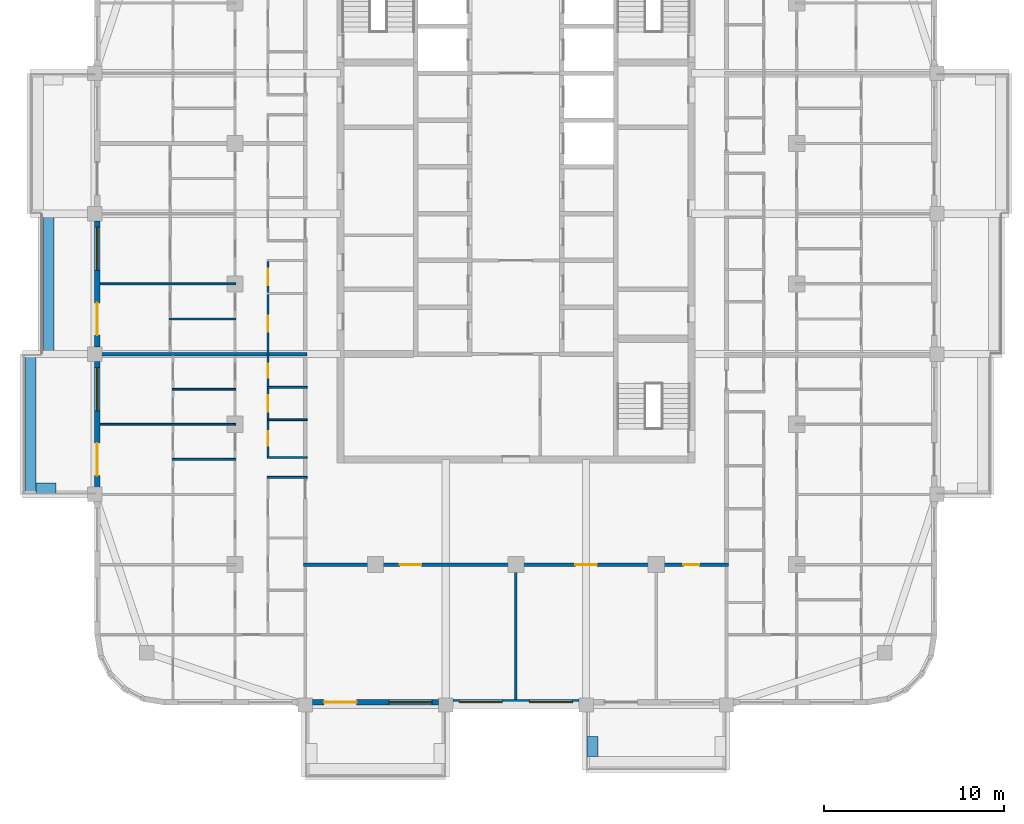
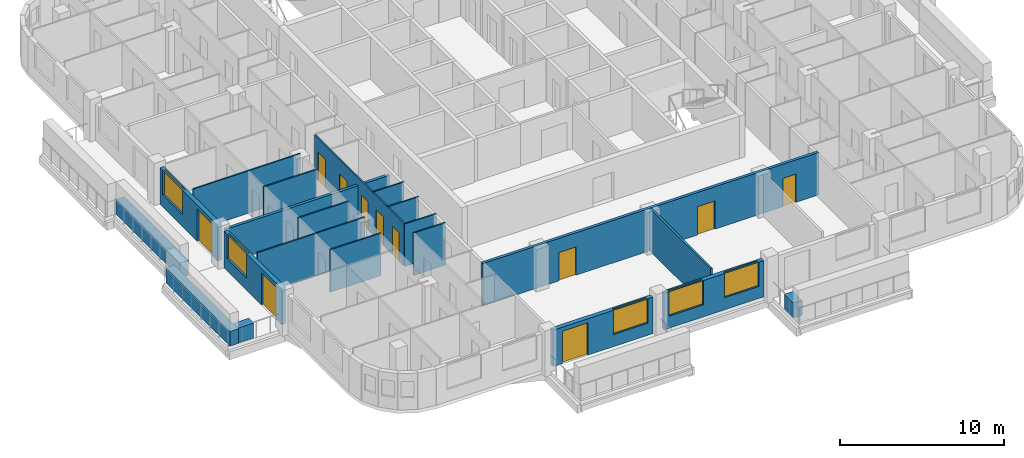
# One storey, part 3 of 16: 21 walls, 11 doors, 5 windows, 16 openings.
"""IFC4 building model written with IfcOpenShell, lengths in metres."""

from ifc_helpers import new_model, si_unit, direction, frame, frame_2d, origin, place, context, subcontext, project, spatial, rectangle, extrude, material, layer, layer_set, type_object, element, fill, save


model = new_model("IFC4")

# Units and contexts
model_context = context("Model", 3, precision=1e-05, world=origin(), true_north=direction((0.0, 1.0)))
body_context = subcontext(model_context, "Body", "Model", "MODEL_VIEW")
ifc_project = project(units=[si_unit("LENGTHUNIT", "METRE"), si_unit("AREAUNIT", "SQUARE_METRE"), si_unit("VOLUMEUNIT", "CUBIC_METRE"), si_unit("PLANEANGLEUNIT", "RADIAN"), si_unit("MASSUNIT", "GRAM", prefix="KILO")], contexts=[model_context])

# Site, building, storey
site_placement = place(None, origin())
site = spatial("IfcSite", under=ifc_project, at=site_placement, CompositionType="ELEMENT")
building_placement = place(site_placement, origin())
building = spatial("IfcBuilding", under=site, at=building_placement, Name="Ludao Terraces", CompositionType="ELEMENT")
storey_placement = place(building_placement, frame((0.0, 0.0, 224.5)))
storey = spatial("IfcBuildingStorey", under=building, at=storey_placement, Name="L61", CompositionType="ELEMENT", Elevation=224.5)

# Walls
ifc_material_1 = material(Name="Concrete C40", Category="concrete")
ifc_layer_1 = layer(ifc_material_1, 0.60009765625)
ifc_layer_set_1 = layer_set([ifc_layer_1], Name="ENV Planter trough 600")
wall_type_1 = type_object("IfcWallType", Name="ENV Planter trough 600", PredefinedType="USERDEFINED", material=ifc_layer_set_1)
wall_1_placement = place(storey_placement, frame((89.25, 38.75, 0.0), z_axis=(0.0, 0.0, 1.0), x_axis=(0.0, 1.0, 0.0)))
element("IfcWall", 1, at=wall_1_placement, inside=storey, type_object=wall_type_1, Name="PL-L61-S3-SA", ObjectType="PLANTER", PredefinedType="USERDEFINED", context=body_context, shape_type="SweptSolid", body=[
    extrude(rectangle(XDim=1.10009765625, YDim=0.60009765625, at=frame_2d((0.550048828125, 0.0))), origin(), (0.0, 0.0, 1.0), 1.10009765625),
])
wall_2_placement = place(storey_placement, frame((58.050048828125, 53.300048828125, 0.0), z_axis=(0.0, 0.0, 1.0), x_axis=(0.0, 1.0, 0.0)))
element("IfcWall", 2, at=wall_2_placement, inside=storey, type_object=wall_type_1, Name="PL-L61-W1", ObjectType="PLANTER", PredefinedType="USERDEFINED", context=body_context, shape_type="SweptSolid", body=[
    extrude(rectangle(XDim=7.800048828125, YDim=0.60009765625, at=frame_2d((3.89990234375, 0.0))), origin(), (0.0, 0.0, 1.0), 1.10009765625),
])
wall_3_placement = place(storey_placement, frame((58.35009765625, 53.64990234375, 0.0), z_axis=(0.0, 0.0, 1.0), x_axis=(1.0, 0.0, 0.0)))
element("IfcWall", 3, at=wall_3_placement, inside=storey, type_object=wall_type_1, Name="PL-L61-W1-SA", ObjectType="PLANTER", PredefinedType="USERDEFINED", context=body_context, shape_type="SweptSolid", body=[
    extrude(rectangle(XDim=1.099853515625, YDim=0.60009765625, at=frame_2d((0.5498046875, 0.0))), origin(), (0.0, 0.0, 1.0), 1.10009765625),
])
wall_4_placement = place(storey_placement, frame((59.050048828125, 61.10009765625, 0.0), z_axis=(0.0, 0.0, 1.0), x_axis=(0.0, 1.0, 0.0)))
element("IfcWall", 4, at=wall_4_placement, inside=storey, type_object=wall_type_1, Name="PL-L61-W2", ObjectType="PLANTER", PredefinedType="USERDEFINED", context=body_context, shape_type="SweptSolid", body=[
    extrude(rectangle(XDim=7.7998046875, YDim=0.60009765625, at=frame_2d((3.89990234375, 0.0))), origin(), (0.0, 0.0, 1.0), 1.10009765625),
])

# Wall, openings, door, window
ifc_material_2 = material(Name="Granite cladding", Category="masonry")
ifc_layer_2 = layer(ifc_material_2, 0.0400390625, Category="stone")
ifc_material_3 = material(Name="Mineral wool")
ifc_layer_3 = layer(ifc_material_3, 0.06005859375)
ifc_layer_4 = layer(ifc_material_1, 0.199951171875, Category="concrete")
ifc_layer_set_2 = layer_set([ifc_layer_2, ifc_layer_3, ifc_layer_4], Name="ENV Stone-clad wall 300")
wall_type_2 = type_object("IfcWallType", Name="ENV Stone-clad wall 300", PredefinedType="SOLIDWALL", material=ifc_layer_set_2)
wall_5_placement = place(storey_placement, frame((73.699951171875, 41.75, 0.0), z_axis=(0.0, 0.0, 1.0), x_axis=(1.0, 0.0, 0.0)))
wall_5 = element("IfcWall", 5, at=wall_5_placement, inside=storey, type_object=wall_type_2, Name="EW-L61-S2", PredefinedType="SOLIDWALL", context=body_context, shape_type="SweptSolid", body=[
    extrude(rectangle(XDim=7.0, YDim=0.300048828125, at=frame_2d((3.5, 0.0))), origin(), (0.0, 0.0, 1.0), 2.699951171875),
])
opening_1_placement = place(wall_5_placement, frame((0.64990234375, 0.0, 0.0)))
opening_1 = element("IfcOpeningElement", 6, at=opening_1_placement, cuts=wall_5, Name="Opening BD", PredefinedType="OPENING", context=body_context, shape_type="SweptSolid", body=[
    extrude(rectangle(XDim=1.800048828125, YDim=2.39990234375, at=frame_2d((0.89990234375, 1.199951171875))), frame((0.0, 0.16015625, 0.0), z_axis=(0.0, -1.0, 0.0), x_axis=(1.0, 0.0, 0.0)), (0.0, 0.0, 1.0), 0.320068359375),
])
opening_2_placement = place(wall_5_placement, frame((4.25, 0.0, 0.89990234375)))
opening_2 = element("IfcOpeningElement", 7, at=opening_2_placement, cuts=wall_5, Name="Opening W1", PredefinedType="OPENING", context=body_context, shape_type="SweptSolid", body=[
    extrude(rectangle(XDim=2.39990234375, YDim=1.800048828125, at=frame_2d((1.199951171875, 0.89990234375))), frame((0.0, 0.16015625, 0.0), z_axis=(0.0, -1.0, 0.0), x_axis=(1.0, 0.0, 0.0)), (0.0, 0.0, 1.0), 0.320068359375),
])
ifc_material_4 = material(Name="Aluminium glazed door", Category="aluminium")
ifc_layer_5 = layer(ifc_material_4, 0.06005859375)
ifc_layer_set_3 = layer_set([ifc_layer_5], Name="ENV Balcony door BD 1800x2400")
door_type_1 = type_object("IfcDoorType", Name="ENV Balcony door BD 1800x2400", OperationType="DOUBLE_DOOR_SINGLE_SWING", PredefinedType="DOOR", material=ifc_layer_set_3)
door_1_placement = place(opening_1_placement, origin())
door_1 = element("IfcDoor", 8, at=door_1_placement, inside=storey, type_object=door_type_1, Name="BD-L61-S2-1", OperationType="DOUBLE_DOOR_SINGLE_SWING", OverallHeight=2.39990234375, OverallWidth=1.800048828125, PredefinedType="DOOR", context=body_context, shape_type="SweptSolid", body=[
    extrude(rectangle(XDim=1.800048828125, YDim=2.39990234375, at=frame_2d((0.89990234375, 1.199951171875))), frame((0.0, 0.02490234375, 0.0), z_axis=(0.0, -1.0, 0.0), x_axis=(1.0, 0.0, 0.0)), (0.0, 0.0, 1.0), 0.050048828125),
])
fill(opening_1, door_1)
ifc_material_5 = material(Name="Clear glass in aluminium frame", Category="aluminium")
ifc_layer_6 = layer(ifc_material_5, 0.06005859375)
ifc_layer_set_4 = layer_set([ifc_layer_6], Name="ENV Window W1 2400x1800")
window_type = type_object("IfcWindowType", Name="ENV Window W1 2400x1800", PartitioningType="DOUBLE_PANEL_VERTICAL", PredefinedType="WINDOW", material=ifc_layer_set_4)
window_1_placement = place(opening_2_placement, origin())
window_1 = element("IfcWindow", 9, at=window_1_placement, inside=storey, type_object=window_type, Name="W-L61-S2-2", OverallHeight=1.800048828125, OverallWidth=2.39990234375, PartitioningType="DOUBLE_PANEL_VERTICAL", PredefinedType="WINDOW", context=body_context, shape_type="SweptSolid", body=[
    extrude(rectangle(XDim=2.39990234375, YDim=1.800048828125, at=frame_2d((1.199951171875, 0.89990234375))), frame((0.0, 0.030029296875, 0.0), z_axis=(0.0, -1.0, 0.0), x_axis=(1.0, 0.0, 0.0)), (0.0, 0.0, 1.0), 0.06005859375),
])
fill(opening_2, window_1)

# Wall, openings, windows
wall_6_placement = place(storey_placement, frame((81.5, 41.75, 0.0), z_axis=(0.0, 0.0, 1.0), x_axis=(1.0, 0.0, 0.0)))
wall_6 = element("IfcWall", 10, at=wall_6_placement, inside=storey, type_object=wall_type_2, Name="EW-L61-S3", PredefinedType="SOLIDWALL", context=body_context, shape_type="SweptSolid", body=[
    extrude(rectangle(XDim=7.0, YDim=0.300048828125, at=frame_2d((3.5, 0.0))), origin(), (0.0, 0.0, 1.0), 2.699951171875),
])
opening_3_placement = place(wall_6_placement, frame((0.35009765625, 0.0, 0.89990234375)))
opening_3 = element("IfcOpeningElement", 11, at=opening_3_placement, cuts=wall_6, Name="Opening W1", PredefinedType="OPENING", context=body_context, shape_type="SweptSolid", body=[
    extrude(rectangle(XDim=2.39990234375, YDim=1.800048828125, at=frame_2d((1.199951171875, 0.89990234375))), frame((0.0, 0.16015625, 0.0), z_axis=(0.0, -1.0, 0.0), x_axis=(1.0, 0.0, 0.0)), (0.0, 0.0, 1.0), 0.320068359375),
])
opening_4_placement = place(wall_6_placement, frame((4.25, 0.0, 0.89990234375)))
opening_4 = element("IfcOpeningElement", 12, at=opening_4_placement, cuts=wall_6, Name="Opening W1", PredefinedType="OPENING", context=body_context, shape_type="SweptSolid", body=[
    extrude(rectangle(XDim=2.39990234375, YDim=1.800048828125, at=frame_2d((1.199951171875, 0.89990234375))), frame((0.0, 0.16015625, 0.0), z_axis=(0.0, -1.0, 0.0), x_axis=(1.0, 0.0, 0.0)), (0.0, 0.0, 1.0), 0.320068359375),
])
window_2_placement = place(opening_3_placement, origin())
window_2 = element("IfcWindow", 13, at=window_2_placement, inside=storey, type_object=window_type, Name="W-L61-S3-1", OverallHeight=1.800048828125, OverallWidth=2.39990234375, PartitioningType="DOUBLE_PANEL_VERTICAL", PredefinedType="WINDOW", context=body_context, shape_type="SweptSolid", body=[
    extrude(rectangle(XDim=2.39990234375, YDim=1.800048828125, at=frame_2d((1.199951171875, 0.89990234375))), frame((0.0, 0.030029296875, 0.0), z_axis=(0.0, -1.0, 0.0), x_axis=(1.0, 0.0, 0.0)), (0.0, 0.0, 1.0), 0.06005859375),
])
fill(opening_3, window_2)
window_3_placement = place(opening_4_placement, origin())
window_3 = element("IfcWindow", 14, at=window_3_placement, inside=storey, type_object=window_type, Name="W-L61-S3-2", OverallHeight=1.800048828125, OverallWidth=2.39990234375, PartitioningType="DOUBLE_PANEL_VERTICAL", PredefinedType="WINDOW", context=body_context, shape_type="SweptSolid", body=[
    extrude(rectangle(XDim=2.39990234375, YDim=1.800048828125, at=frame_2d((1.199951171875, 0.89990234375))), frame((0.0, 0.030029296875, 0.0), z_axis=(0.0, -1.0, 0.0), x_axis=(1.0, 0.0, 0.0)), (0.0, 0.0, 1.0), 0.06005859375),
])
fill(opening_4, window_3)

# Wall, openings, door, window
wall_7_placement = place(storey_placement, frame((61.75, 53.699951171875, 0.0), z_axis=(0.0, 0.0, 1.0), x_axis=(0.0, 1.0, 0.0)))
wall_7 = element("IfcWall", 15, at=wall_7_placement, inside=storey, type_object=wall_type_2, Name="EW-L61-W2", PredefinedType="SOLIDWALL", context=body_context, shape_type="SweptSolid", body=[
    extrude(rectangle(XDim=7.0, YDim=0.300048828125, at=frame_2d((3.5, 0.0))), origin(), (0.0, 0.0, 1.0), 2.699951171875),
])
opening_5_placement = place(wall_7_placement, frame((0.64990234375, 0.0, 0.0)))
opening_5 = element("IfcOpeningElement", 16, at=opening_5_placement, cuts=wall_7, Name="Opening BD", PredefinedType="OPENING", context=body_context, shape_type="SweptSolid", body=[
    extrude(rectangle(XDim=1.800048828125, YDim=2.39990234375, at=frame_2d((0.89990234375, 1.199951171875))), frame((0.0, 0.16015625, 0.0), z_axis=(0.0, -1.0, 0.0), x_axis=(1.0, 0.0, 0.0)), (0.0, 0.0, 1.0), 0.320068359375),
])
opening_6_placement = place(wall_7_placement, frame((4.25, 0.0, 0.89990234375)))
opening_6 = element("IfcOpeningElement", 17, at=opening_6_placement, cuts=wall_7, Name="Opening W1", PredefinedType="OPENING", context=body_context, shape_type="SweptSolid", body=[
    extrude(rectangle(XDim=2.39990234375, YDim=1.800048828125, at=frame_2d((1.199951171875, 0.89990234375))), frame((0.0, 0.16015625, 0.0), z_axis=(0.0, -1.0, 0.0), x_axis=(1.0, 0.0, 0.0)), (0.0, 0.0, 1.0), 0.320068359375),
])
door_2_placement = place(opening_5_placement, origin())
door_2 = element("IfcDoor", 18, at=door_2_placement, inside=storey, type_object=door_type_1, Name="BD-L61-W2-1", OperationType="DOUBLE_DOOR_SINGLE_SWING", OverallHeight=2.39990234375, OverallWidth=1.800048828125, PredefinedType="DOOR", context=body_context, shape_type="SweptSolid", body=[
    extrude(rectangle(XDim=1.800048828125, YDim=2.39990234375, at=frame_2d((0.89990234375, 1.199951171875))), frame((0.0, 0.02490234375, 0.0), z_axis=(0.0, -1.0, 0.0), x_axis=(1.0, 0.0, 0.0)), (0.0, 0.0, 1.0), 0.050048828125),
])
fill(opening_5, door_2)
window_4_placement = place(opening_6_placement, origin())
window_4 = element("IfcWindow", 19, at=window_4_placement, inside=storey, type_object=window_type, Name="W-L61-W2-2", OverallHeight=1.800048828125, OverallWidth=2.39990234375, PartitioningType="DOUBLE_PANEL_VERTICAL", PredefinedType="WINDOW", context=body_context, shape_type="SweptSolid", body=[
    extrude(rectangle(XDim=2.39990234375, YDim=1.800048828125, at=frame_2d((1.199951171875, 0.89990234375))), frame((0.0, 0.030029296875, 0.0), z_axis=(0.0, -1.0, 0.0), x_axis=(1.0, 0.0, 0.0)), (0.0, 0.0, 1.0), 0.06005859375),
])
fill(opening_6, window_4)

wall_8_placement = place(storey_placement, frame((61.75, 61.5, 0.0), z_axis=(0.0, 0.0, 1.0), x_axis=(0.0, 1.0, 0.0)))
wall_8 = element("IfcWall", 20, at=wall_8_placement, inside=storey, type_object=wall_type_2, Name="EW-L61-W3", PredefinedType="SOLIDWALL", context=body_context, shape_type="SweptSolid", body=[
    extrude(rectangle(XDim=7.0, YDim=0.300048828125, at=frame_2d((3.5, 0.0))), origin(), (0.0, 0.0, 1.0), 2.699951171875),
])
opening_7_placement = place(wall_8_placement, frame((0.64990234375, 0.0, 0.0)))
opening_7 = element("IfcOpeningElement", 21, at=opening_7_placement, cuts=wall_8, Name="Opening BD", PredefinedType="OPENING", context=body_context, shape_type="SweptSolid", body=[
    extrude(rectangle(XDim=1.800048828125, YDim=2.39990234375, at=frame_2d((0.89990234375, 1.199951171875))), frame((0.0, 0.16015625, 0.0), z_axis=(0.0, -1.0, 0.0), x_axis=(1.0, 0.0, 0.0)), (0.0, 0.0, 1.0), 0.320068359375),
])
opening_8_placement = place(wall_8_placement, frame((4.25, 0.0, 0.89990234375)))
opening_8 = element("IfcOpeningElement", 22, at=opening_8_placement, cuts=wall_8, Name="Opening W1", PredefinedType="OPENING", context=body_context, shape_type="SweptSolid", body=[
    extrude(rectangle(XDim=2.39990234375, YDim=1.800048828125, at=frame_2d((1.199951171875, 0.89990234375))), frame((0.0, 0.16015625, 0.0), z_axis=(0.0, -1.0, 0.0), x_axis=(1.0, 0.0, 0.0)), (0.0, 0.0, 1.0), 0.320068359375),
])
door_3_placement = place(opening_7_placement, origin())
door_3 = element("IfcDoor", 23, at=door_3_placement, inside=storey, type_object=door_type_1, Name="BD-L61-W3-1", OperationType="DOUBLE_DOOR_SINGLE_SWING", OverallHeight=2.39990234375, OverallWidth=1.800048828125, PredefinedType="DOOR", context=body_context, shape_type="SweptSolid", body=[
    extrude(rectangle(XDim=1.800048828125, YDim=2.39990234375, at=frame_2d((0.89990234375, 1.199951171875))), frame((0.0, 0.02490234375, 0.0), z_axis=(0.0, -1.0, 0.0), x_axis=(1.0, 0.0, 0.0)), (0.0, 0.0, 1.0), 0.050048828125),
])
fill(opening_7, door_3)
window_5_placement = place(opening_8_placement, origin())
window_5 = element("IfcWindow", 24, at=window_5_placement, inside=storey, type_object=window_type, Name="W-L61-W3-2", OverallHeight=1.800048828125, OverallWidth=2.39990234375, PartitioningType="DOUBLE_PANEL_VERTICAL", PredefinedType="WINDOW", context=body_context, shape_type="SweptSolid", body=[
    extrude(rectangle(XDim=2.39990234375, YDim=1.800048828125, at=frame_2d((1.199951171875, 0.89990234375))), frame((0.0, 0.030029296875, 0.0), z_axis=(0.0, -1.0, 0.0), x_axis=(1.0, 0.0, 0.0)), (0.0, 0.0, 1.0), 0.06005859375),
])
fill(opening_8, window_5)

# Wall, openings, doors
ifc_material_6 = material(Name="Autoclaved aerated concrete block B06 A3.5", Category="concrete")
ifc_layer_7 = layer(ifc_material_6, 0.199951171875)
ifc_layer_set_5 = layer_set([ifc_layer_7], Name="INT Entrance wall 200")
wall_type_3 = type_object("IfcWallType", Name="INT Entrance wall 200", PredefinedType="PARTITIONING", material=ifc_layer_set_5)
wall_9_placement = place(storey_placement, frame((73.2001953125, 49.39990234375, 0.0), z_axis=(0.0, 0.0, 1.0), x_axis=(1.0, 0.0, 0.0)))
wall_9 = element("IfcWall", 25, at=wall_9_placement, inside=storey, type_object=wall_type_3, Name="PW-L61-PW006", PredefinedType="PARTITIONING", context=body_context, shape_type="SweptSolid", body=[
    extrude(rectangle(XDim=23.599853515625, YDim=0.199951171875, at=frame_2d((11.7998046875, 0.0))), origin(), (0.0, 0.0, 1.0), 3.14990234375),
])
opening_9_placement = place(wall_9_placement, frame((5.349853515625, 0.0, 0.0)))
opening_9 = element("IfcOpeningElement", 26, at=opening_9_placement, cuts=wall_9, Name="Opening R22-015", PredefinedType="OPENING", context=body_context, shape_type="SweptSolid", body=[
    extrude(rectangle(XDim=1.199951171875, YDim=2.10009765625, at=frame_2d((0.60009765625, 1.050048828125))), frame((0.0, 0.10986328125, 0.0), z_axis=(0.0, -1.0, 0.0), x_axis=(1.0, 0.0, 0.0)), (0.0, 0.0, 1.0), 0.219970703125),
])
opening_10_placement = place(wall_9_placement, frame((15.099853515625, 0.0, 0.0)))
opening_10 = element("IfcOpeningElement", 27, at=opening_10_placement, cuts=wall_9, Name="Opening R22-016", PredefinedType="OPENING", context=body_context, shape_type="SweptSolid", body=[
    extrude(rectangle(XDim=1.199951171875, YDim=2.10009765625, at=frame_2d((0.60009765625, 1.050048828125))), frame((0.0, 0.10986328125, 0.0), z_axis=(0.0, -1.0, 0.0), x_axis=(1.0, 0.0, 0.0)), (0.0, 0.0, 1.0), 0.219970703125),
])
opening_11_placement = place(wall_9_placement, frame((21.099853515625, 0.0, 0.0)))
opening_11 = element("IfcOpeningElement", 28, at=opening_11_placement, cuts=wall_9, Name="Opening R22-017", PredefinedType="OPENING", context=body_context, shape_type="SweptSolid", body=[
    extrude(rectangle(XDim=0.89990234375, YDim=2.10009765625, at=frame_2d((0.449951171875, 1.050048828125))), frame((0.0, 0.10986328125, 0.0), z_axis=(0.0, -1.0, 0.0), x_axis=(1.0, 0.0, 0.0)), (0.0, 0.0, 1.0), 0.219970703125),
])
ifc_material_7 = material(Name="Timber door leaf", Category="wood")
door_type_2 = type_object("IfcDoorType", Name="INT Double door 1200", OperationType="DOUBLE_DOOR_SINGLE_SWING", PredefinedType="DOOR", material=ifc_material_7)
door_4_placement = place(opening_9_placement, origin())
door_4 = element("IfcDoor", 29, at=door_4_placement, inside=storey, type_object=door_type_2, Name="DOOR 015", OperationType="DOUBLE_DOOR_SINGLE_SWING", OverallHeight=2.10009765625, OverallWidth=1.199951171875, PredefinedType="DOOR", context=body_context, shape_type="SweptSolid", body=[
    extrude(rectangle(XDim=1.199951171875, YDim=2.10009765625, at=frame_2d((0.60009765625, 1.050048828125))), frame((0.0, 0.02490234375, 0.0), z_axis=(0.0, -1.0, 0.0), x_axis=(1.0, 0.0, 0.0)), (0.0, 0.0, 1.0), 0.050048828125),
])
fill(opening_9, door_4)
door_5_placement = place(opening_10_placement, origin())
door_5 = element("IfcDoor", 30, at=door_5_placement, inside=storey, type_object=door_type_2, Name="DOOR 016", OperationType="DOUBLE_DOOR_SINGLE_SWING", OverallHeight=2.10009765625, OverallWidth=1.199951171875, PredefinedType="DOOR", context=body_context, shape_type="SweptSolid", body=[
    extrude(rectangle(XDim=1.199951171875, YDim=2.10009765625, at=frame_2d((0.60009765625, 1.050048828125))), frame((0.0, 0.02490234375, 0.0), z_axis=(0.0, -1.0, 0.0), x_axis=(1.0, 0.0, 0.0)), (0.0, 0.0, 1.0), 0.050048828125),
])
fill(opening_10, door_5)
door_type_3 = type_object("IfcDoorType", Name="INT Room door 900", OperationType="SINGLE_SWING_LEFT", PredefinedType="DOOR", material=ifc_material_7)
door_6_placement = place(opening_11_placement, origin())
door_6 = element("IfcDoor", 31, at=door_6_placement, inside=storey, type_object=door_type_3, Name="DOOR 017", OperationType="SINGLE_SWING_RIGHT", OverallHeight=2.10009765625, OverallWidth=0.89990234375, PredefinedType="DOOR", context=body_context, shape_type="SweptSolid", body=[
    extrude(rectangle(XDim=0.89990234375, YDim=2.10009765625, at=frame_2d((0.449951171875, 1.050048828125))), frame((0.0, 0.02490234375, 0.0), z_axis=(0.0, -1.0, 0.0), x_axis=(1.0, 0.0, 0.0)), (0.0, 0.0, 1.0), 0.050048828125),
])
fill(opening_11, door_6)

# Walls
ifc_material_8 = material(Name="Gypsum plasterboard", Category="gypsum")
ifc_layer_8 = layer(ifc_material_8, 0.012451171875, Category="gypsum")
ifc_layer_9 = layer(ifc_material_3, 0.06005859375, Name="insulation")
ifc_material_9 = material(Name="Steel Q235", Category="steel")
ifc_layer_10 = layer(ifc_material_9, 0.014892578125, Name="stud")
ifc_layer_11 = layer(ifc_material_8, 0.012451171875, Category="gypsum")
ifc_layer_set_6 = layer_set([ifc_layer_8, ifc_layer_9, ifc_layer_10, ifc_layer_11], Name="INT Partition 100")
wall_type_4 = type_object("IfcWallType", Name="INT Partition 100", PredefinedType="PARTITIONING", material=ifc_layer_set_6)
wall_10_placement = place(storey_placement, frame((71.18017578125, 54.25, 0.0), z_axis=(0.0, 0.0, 1.0), x_axis=(1.0, 0.0, 0.0)))
element("IfcWall", 32, at=wall_10_placement, inside=storey, type_object=wall_type_4, Name="PW-L61-PW013", PredefinedType="PARTITIONING", context=body_context, shape_type="SweptSolid", body=[
    extrude(rectangle(XDim=2.219970703125, YDim=0.10009765625, at=frame_2d((1.10986328125, 0.0))), origin(), (0.0, 0.0, 1.0), 3.14990234375),
])
wall_11_placement = place(storey_placement, frame((65.900146484375, 55.25, 0.0), z_axis=(0.0, 0.0, 1.0), x_axis=(1.0, 0.0, 0.0)))
element("IfcWall", 33, at=wall_11_placement, inside=storey, type_object=wall_type_4, Name="PW-L61-PW015", PredefinedType="PARTITIONING", context=body_context, shape_type="SweptSolid", body=[
    extrude(rectangle(XDim=3.550048828125, YDim=0.10009765625, at=frame_2d((1.77490234375, 0.0))), origin(), (0.0, 0.0, 1.0), 3.14990234375),
])
wall_12_placement = place(storey_placement, frame((71.18017578125, 55.35009765625, 0.0), z_axis=(0.0, 0.0, 1.0), x_axis=(1.0, 0.0, 0.0)))
element("IfcWall", 34, at=wall_12_placement, inside=storey, type_object=wall_type_4, Name="PW-L61-PW016", PredefinedType="PARTITIONING", context=body_context, shape_type="SweptSolid", body=[
    extrude(rectangle(XDim=2.219970703125, YDim=0.10009765625, at=frame_2d((1.10986328125, 0.0))), origin(), (0.0, 0.0, 1.0), 3.14990234375),
])
wall_13_placement = place(storey_placement, frame((61.900146484375, 57.199951171875, 0.0), z_axis=(0.0, 0.0, 1.0), x_axis=(1.0, 0.0, 0.0)))
element("IfcWall", 35, at=wall_13_placement, inside=storey, type_object=wall_type_4, Name="PW-L61-PW017", PredefinedType="PARTITIONING", context=body_context, shape_type="SweptSolid", body=[
    extrude(rectangle(XDim=7.550048828125, YDim=0.10009765625, at=frame_2d((3.77490234375, 0.0))), origin(), (0.0, 0.0, 1.0), 3.14990234375),
])
wall_14_placement = place(storey_placement, frame((71.18017578125, 57.449951171875, 0.0), z_axis=(0.0, 0.0, 1.0), x_axis=(1.0, 0.0, 0.0)))
element("IfcWall", 36, at=wall_14_placement, inside=storey, type_object=wall_type_4, Name="PW-L61-PW019", PredefinedType="PARTITIONING", context=body_context, shape_type="SweptSolid", body=[
    extrude(rectangle(XDim=2.219970703125, YDim=0.10009765625, at=frame_2d((1.10986328125, 0.0))), origin(), (0.0, 0.0, 1.0), 3.14990234375),
])
wall_15_placement = place(storey_placement, frame((65.900146484375, 59.14990234375, 0.0), z_axis=(0.0, 0.0, 1.0), x_axis=(1.0, 0.0, 0.0)))
element("IfcWall", 37, at=wall_15_placement, inside=storey, type_object=wall_type_4, Name="PW-L61-PW022", PredefinedType="PARTITIONING", context=body_context, shape_type="SweptSolid", body=[
    extrude(rectangle(XDim=3.550048828125, YDim=0.10009765625, at=frame_2d((1.77490234375, 0.0))), origin(), (0.0, 0.0, 1.0), 3.14990234375),
])
wall_16_placement = place(storey_placement, frame((71.18017578125, 59.25, 0.0), z_axis=(0.0, 0.0, 1.0), x_axis=(1.0, 0.0, 0.0)))
element("IfcWall", 38, at=wall_16_placement, inside=storey, type_object=wall_type_4, Name="PW-L61-PW024", PredefinedType="PARTITIONING", context=body_context, shape_type="SweptSolid", body=[
    extrude(rectangle(XDim=2.219970703125, YDim=0.10009765625, at=frame_2d((1.10986328125, 0.0))), origin(), (0.0, 0.0, 1.0), 3.14990234375),
])
wall_17_placement = place(storey_placement, frame((65.75, 63.050048828125, 0.0), z_axis=(0.0, 0.0, 1.0), x_axis=(1.0, 0.0, 0.0)))
element("IfcWall", 39, at=wall_17_placement, inside=storey, type_object=wall_type_4, Name="PW-L61-PW028", PredefinedType="PARTITIONING", context=body_context, shape_type="SweptSolid", body=[
    extrude(rectangle(XDim=3.7001953125, YDim=0.10009765625, at=frame_2d((1.85009765625, 0.0))), origin(), (0.0, 0.0, 1.0), 3.14990234375),
])
wall_18_placement = place(storey_placement, frame((61.900146484375, 65.0, 0.0), z_axis=(0.0, 0.0, 1.0), x_axis=(1.0, 0.0, 0.0)))
element("IfcWall", 40, at=wall_18_placement, inside=storey, type_object=wall_type_4, Name="PW-L61-PW032", PredefinedType="PARTITIONING", context=body_context, shape_type="SweptSolid", body=[
    extrude(rectangle(XDim=7.550048828125, YDim=0.10009765625, at=frame_2d((3.77490234375, 0.0))), origin(), (0.0, 0.0, 1.0), 3.14990234375),
])

# Wall, openings, doors
wall_19_placement = place(storey_placement, frame((71.22998046875, 55.400146484375, 0.0), z_axis=(0.0, 0.0, 1.0), x_axis=(0.0, 1.0, 0.0)))
wall_19 = element("IfcWall", 41, at=wall_19_placement, inside=storey, type_object=wall_type_4, Name="PW-L61-PW074", PredefinedType="PARTITIONING", context=body_context, shape_type="SweptSolid", body=[
    extrude(rectangle(XDim=10.849853515625, YDim=0.10009765625, at=frame_2d((5.4248046875, 0.0))), origin(), (0.0, 0.0, 1.0), 3.14990234375),
])
opening_12_placement = place(wall_19_placement, frame((0.60009765625, 0.0, 0.0)))
opening_12 = element("IfcOpeningElement", 42, at=opening_12_placement, cuts=wall_19, Name="Opening R22-034", PredefinedType="OPENING", context=body_context, shape_type="SweptSolid", body=[
    extrude(rectangle(XDim=0.800048828125, YDim=2.10009765625, at=frame_2d((0.39990234375, 1.050048828125))), frame((0.0, 0.06005859375, 0.0), z_axis=(0.0, -1.0, 0.0), x_axis=(1.0, 0.0, 0.0)), (0.0, 0.0, 1.0), 0.1201171875),
])
opening_13_placement = place(wall_19_placement, frame((2.5, 0.0, 0.0)))
opening_13 = element("IfcOpeningElement", 43, at=opening_13_placement, cuts=wall_19, Name="Opening R22-039", PredefinedType="OPENING", context=body_context, shape_type="SweptSolid", body=[
    extrude(rectangle(XDim=0.89990234375, YDim=2.10009765625, at=frame_2d((0.449951171875, 1.050048828125))), frame((0.0, 0.06005859375, 0.0), z_axis=(0.0, -1.0, 0.0), x_axis=(1.0, 0.0, 0.0)), (0.0, 0.0, 1.0), 0.1201171875),
])
opening_14_placement = place(wall_19_placement, frame((4.375, 0.0, 0.0)))
opening_14 = element("IfcOpeningElement", 44, at=opening_14_placement, cuts=wall_19, Name="Opening R22-046", PredefinedType="OPENING", context=body_context, shape_type="SweptSolid", body=[
    extrude(rectangle(XDim=0.800048828125, YDim=2.10009765625, at=frame_2d((0.39990234375, 1.050048828125))), frame((0.0, 0.06005859375, 0.0), z_axis=(0.0, -1.0, 0.0), x_axis=(1.0, 0.0, 0.0)), (0.0, 0.0, 1.0), 0.1201171875),
])
opening_15_placement = place(wall_19_placement, frame((6.93505859375, 0.0, 0.0)))
opening_15 = element("IfcOpeningElement", 45, at=opening_15_placement, cuts=wall_19, Name="Opening R22-053", PredefinedType="OPENING", context=body_context, shape_type="SweptSolid", body=[
    extrude(rectangle(XDim=0.89990234375, YDim=2.10009765625, at=frame_2d((0.449951171875, 1.050048828125))), frame((0.0, 0.06005859375, 0.0), z_axis=(0.0, -1.0, 0.0), x_axis=(1.0, 0.0, 0.0)), (0.0, 0.0, 1.0), 0.1201171875),
])
opening_16_placement = place(wall_19_placement, frame((9.534912109375, 0.0, 0.0)))
opening_16 = element("IfcOpeningElement", 46, at=opening_16_placement, cuts=wall_19, Name="Opening R22-063", PredefinedType="OPENING", context=body_context, shape_type="SweptSolid", body=[
    extrude(rectangle(XDim=0.89990234375, YDim=2.10009765625, at=frame_2d((0.449951171875, 1.050048828125))), frame((0.0, 0.06005859375, 0.0), z_axis=(0.0, -1.0, 0.0), x_axis=(1.0, 0.0, 0.0)), (0.0, 0.0, 1.0), 0.1201171875),
])
door_type_4 = type_object("IfcDoorType", Name="INT Bathroom door 900", OperationType="SINGLE_SWING_LEFT", PredefinedType="DOOR", material=ifc_material_7)
door_7_placement = place(opening_13_placement, origin())
door_7 = element("IfcDoor", 47, at=door_7_placement, inside=storey, type_object=door_type_4, Name="DOOR 039", OperationType="SINGLE_SWING_LEFT", OverallHeight=2.10009765625, OverallWidth=0.89990234375, PredefinedType="DOOR", context=body_context, shape_type="SweptSolid", body=[
    extrude(rectangle(XDim=0.89990234375, YDim=2.10009765625, at=frame_2d((0.449951171875, 1.050048828125))), frame((0.0, 0.02490234375, 0.0), z_axis=(0.0, -1.0, 0.0), x_axis=(1.0, 0.0, 0.0)), (0.0, 0.0, 1.0), 0.050048828125),
])
fill(opening_13, door_7)
door_8_placement = place(opening_16_placement, origin())
door_8 = element("IfcDoor", 48, at=door_8_placement, inside=storey, type_object=door_type_4, Name="DOOR 063", OperationType="SINGLE_SWING_RIGHT", OverallHeight=2.10009765625, OverallWidth=0.89990234375, PredefinedType="DOOR", context=body_context, shape_type="SweptSolid", body=[
    extrude(rectangle(XDim=0.89990234375, YDim=2.10009765625, at=frame_2d((0.449951171875, 1.050048828125))), frame((0.0, 0.02490234375, 0.0), z_axis=(0.0, -1.0, 0.0), x_axis=(1.0, 0.0, 0.0)), (0.0, 0.0, 1.0), 0.050048828125),
])
fill(opening_16, door_8)
door_9_placement = place(opening_15_placement, origin())
door_9 = element("IfcDoor", 49, at=door_9_placement, inside=storey, type_object=door_type_3, Name="DOOR 053", OperationType="SINGLE_SWING_RIGHT", OverallHeight=2.10009765625, OverallWidth=0.89990234375, PredefinedType="DOOR", context=body_context, shape_type="SweptSolid", body=[
    extrude(rectangle(XDim=0.89990234375, YDim=2.10009765625, at=frame_2d((0.449951171875, 1.050048828125))), frame((0.0, 0.02490234375, 0.0), z_axis=(0.0, -1.0, 0.0), x_axis=(1.0, 0.0, 0.0)), (0.0, 0.0, 1.0), 0.050048828125),
])
fill(opening_15, door_9)
door_type_5 = type_object("IfcDoorType", Name="INT Store door 800", OperationType="SINGLE_SWING_LEFT", PredefinedType="DOOR", material=ifc_material_7)
door_10_placement = place(opening_12_placement, origin())
door_10 = element("IfcDoor", 50, at=door_10_placement, inside=storey, type_object=door_type_5, Name="DOOR 034", OperationType="SINGLE_SWING_RIGHT", OverallHeight=2.10009765625, OverallWidth=0.800048828125, PredefinedType="DOOR", context=body_context, shape_type="SweptSolid", body=[
    extrude(rectangle(XDim=0.800048828125, YDim=2.10009765625, at=frame_2d((0.39990234375, 1.050048828125))), frame((0.0, 0.02490234375, 0.0), z_axis=(0.0, -1.0, 0.0), x_axis=(1.0, 0.0, 0.0)), (0.0, 0.0, 1.0), 0.050048828125),
])
fill(opening_12, door_10)
door_11_placement = place(opening_14_placement, origin())
door_11 = element("IfcDoor", 51, at=door_11_placement, inside=storey, type_object=door_type_5, Name="DOOR 046", OperationType="SINGLE_SWING_LEFT", OverallHeight=2.10009765625, OverallWidth=0.800048828125, PredefinedType="DOOR", context=body_context, shape_type="SweptSolid", body=[
    extrude(rectangle(XDim=0.800048828125, YDim=2.10009765625, at=frame_2d((0.39990234375, 1.050048828125))), frame((0.0, 0.02490234375, 0.0), z_axis=(0.0, -1.0, 0.0), x_axis=(1.0, 0.0, 0.0)), (0.0, 0.0, 1.0), 0.050048828125),
])
fill(opening_14, door_11)

# Walls
ifc_layer_12 = layer(ifc_material_6, 0.14990234375)
ifc_layer_set_7 = layer_set([ifc_layer_12], Name="INT Party wall 150")
wall_type_5 = type_object("IfcWallType", Name="INT Party wall 150", PredefinedType="PARTITIONING", material=ifc_layer_set_7)
wall_20_placement = place(storey_placement, frame((85.0, 41.900146484375, 0.0), z_axis=(0.0, 0.0, 1.0), x_axis=(0.0, 1.0, 0.0)))
element("IfcWall", 52, at=wall_20_placement, inside=storey, type_object=wall_type_5, Name="PW-L61-PW082", PredefinedType="PARTITIONING", context=body_context, shape_type="SweptSolid", body=[
    extrude(rectangle(XDim=7.39990234375, YDim=0.14990234375, at=frame_2d((3.699951171875, 0.0))), origin(), (0.0, 0.0, 1.0), 3.14990234375),
])
ifc_layer_13 = layer(ifc_material_6, 0.199951171875)
ifc_layer_set_8 = layer_set([ifc_layer_13], Name="INT Party wall 200")
wall_type_6 = type_object("IfcWallType", Name="INT Party wall 200", PredefinedType="PARTITIONING", material=ifc_layer_set_8)
wall_21_placement = place(storey_placement, frame((61.900146484375, 61.10009765625, 0.0), z_axis=(0.0, 0.0, 1.0), x_axis=(1.0, 0.0, 0.0)))
element("IfcWall", 53, at=wall_21_placement, inside=storey, type_object=wall_type_6, Name="PW-L61-PW025", PredefinedType="PARTITIONING", context=body_context, shape_type="SweptSolid", body=[
    extrude(rectangle(XDim=11.5, YDim=0.199951171875, at=frame_2d((5.75, 0.0))), origin(), (0.0, 0.0, 1.0), 2.550048828125),
])

save(model, "model.ifc")
